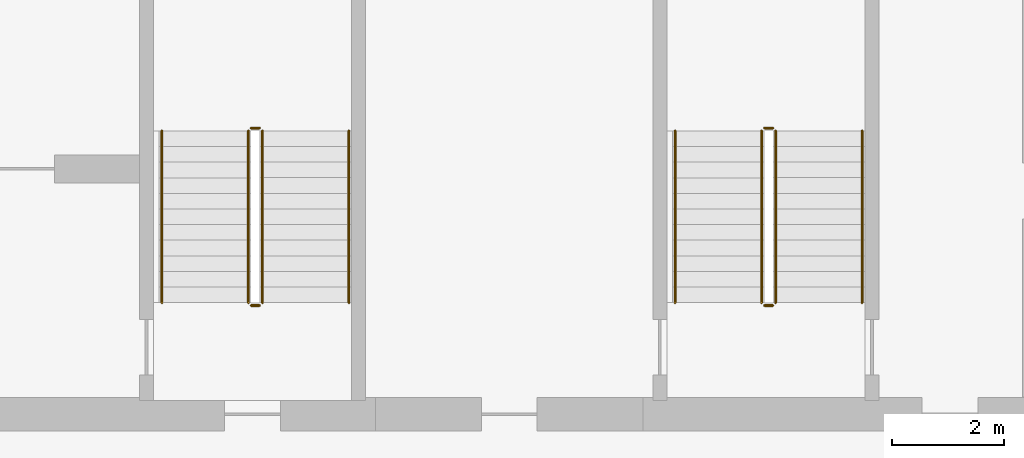
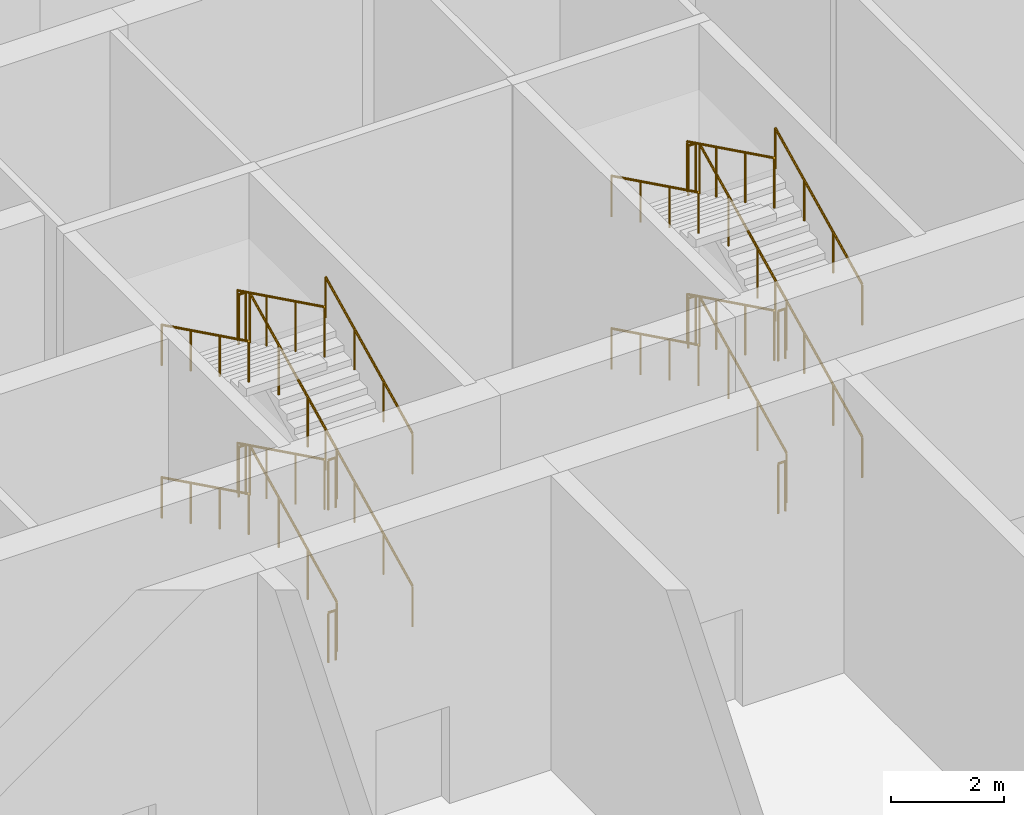
# One storey, part 15 of 16: 24 railings.
"""IFC4 building model written with IfcOpenShell, lengths in metres."""

from ifc_helpers import new_model, si_unit, direction, frame, origin, origin_2d, place, context, subcontext, project, spatial, circle, extrude, material, type_object, element, save


model = new_model("IFC4")

# Units and contexts
model_context = context("Model", 3, precision=1e-05, world=origin(), true_north=direction((0.0, 1.0)))
body_context = subcontext(model_context, "Body", "Model", "MODEL_VIEW")
ifc_project = project(units=[si_unit("LENGTHUNIT", "METRE"), si_unit("AREAUNIT", "SQUARE_METRE"), si_unit("VOLUMEUNIT", "CUBIC_METRE"), si_unit("PLANEANGLEUNIT", "RADIAN"), si_unit("MASSUNIT", "GRAM", prefix="KILO")], contexts=[model_context])

# Site, building, storey
site_placement = place(None, origin())
site = spatial("IfcSite", under=ifc_project, at=site_placement, CompositionType="ELEMENT")
building_placement = place(site_placement, origin())
building = spatial("IfcBuilding", under=site, at=building_placement, Name="Poui Terraces", CompositionType="ELEMENT")
storey_placement = place(building_placement, frame((0.0, 0.0, 115.800048828125)))
storey = spatial("IfcBuildingStorey", under=building, at=storey_placement, Name="L32", CompositionType="ELEMENT", Elevation=115.800048828125)

# Railings
ifc_material_1 = material(Name="Galvanised steel balustrade", Category="steel")
railing_type_1 = type_object("IfcRailingType", Name="STAIR GUARD 1100", PredefinedType="GUARDRAIL", material=ifc_material_1)
railing_1_placement = place(storey_placement, frame((70.27490234375, 16.60009765625, 0.137451171875)))
element("IfcRailing", 1, at=railing_1_placement, inside=storey, type_object=railing_type_1, Name="L32 ST-CE stair guard 1", PredefinedType="GUARDRAIL", context=body_context, shape_type="SweptSolid", body=[
    extrude(circle(Radius=0.02392578125, at=origin_2d()), frame((0.0, 0.0, 1.076171875), z_axis=(0.0, 0.897606190399, 0.440798283751), x_axis=(-1.0, 0.0, 0.0)), (0.0, 0.0, 1.0), 3.43115234375),
    extrude(circle(Radius=0.02099609375, at=origin_2d()), origin(), (0.0, 0.0, 1.0), 1.052001953125),
    extrude(circle(Radius=0.02099609375, at=origin_2d()), frame((0.0, 1.026611328125, 0.504150390625)), (0.0, 0.0, 1.0), 1.052001953125),
    extrude(circle(Radius=0.02099609375, at=origin_2d()), frame((0.0, 2.05322265625, 1.00830078125)), (0.0, 0.0, 1.0), 1.052001953125),
    extrude(circle(Radius=0.02099609375, at=origin_2d()), frame((0.0, 3.079833984375, 1.512451171875)), (0.0, 0.0, 1.0), 1.052001953125),
])
railing_2_placement = place(storey_placement, frame((70.22509765625, 19.72998046875, 1.64990234375)))
element("IfcRailing", 2, at=railing_2_placement, inside=storey, type_object=railing_type_1, Name="L32 ST-CE stair guard 2", PredefinedType="GUARDRAIL", context=body_context, shape_type="SweptSolid", body=[
    extrude(circle(Radius=0.02392578125, at=origin_2d()), frame((0.0, 0.0, 1.076171875), z_axis=(-1.0, 0.0, 0.0), x_axis=(0.0, -1.0, 0.0)), (0.0, 0.0, 1.0), 0.150146484375),
    extrude(circle(Radius=0.02099609375, at=origin_2d()), origin(), (0.0, 0.0, 1.0), 1.052001953125),
    extrude(circle(Radius=0.02099609375, at=origin_2d()), frame((-0.150146484375, 0.0, 0.0)), (0.0, 0.0, 1.0), 1.052001953125),
])
railing_3_placement = place(storey_placement, frame((70.02490234375, 19.679931640625, 1.787353515625)))
element("IfcRailing", 3, at=railing_3_placement, inside=storey, type_object=railing_type_1, Name="L32 ST-CE stair guard 3", PredefinedType="GUARDRAIL", context=body_context, shape_type="SweptSolid", body=[
    extrude(circle(Radius=0.02392578125, at=origin_2d()), frame((0.0, 0.0, 1.076171875), z_axis=(0.0, -0.897578036475, 0.440855609512), x_axis=(1.0, 0.0, 0.0)), (0.0, 0.0, 1.0), 3.43115234375),
    extrude(circle(Radius=0.02099609375, at=origin_2d()), origin(), (0.0, 0.0, 1.0), 1.052001953125),
    extrude(circle(Radius=0.02099609375, at=origin_2d()), frame((0.0, -1.026611328125, 0.504150390625)), (0.0, 0.0, 1.0), 1.052001953125),
    extrude(circle(Radius=0.02099609375, at=origin_2d()), frame((0.0, -2.05322265625, 1.008544921875)), (0.0, 0.0, 1.0), 1.052001953125),
    extrude(circle(Radius=0.02099609375, at=origin_2d()), frame((0.0, -3.079833984375, 1.5126953125)), (0.0, 0.0, 1.0), 1.052001953125),
])
railing_4_placement = place(storey_placement, frame((70.22509765625, 16.550048828125, 3.300048828125)))
element("IfcRailing", 4, at=railing_4_placement, inside=storey, type_object=railing_type_1, Name="L32 ST-CE stair guard 4", PredefinedType="GUARDRAIL", context=body_context, shape_type="SweptSolid", body=[
    extrude(circle(Radius=0.02392578125, at=origin_2d()), frame((0.0, 0.0, 1.076171875), z_axis=(-1.0, 0.0, 0.0), x_axis=(0.0, -1.0, 0.0)), (0.0, 0.0, 1.0), 0.150146484375),
    extrude(circle(Radius=0.02099609375, at=origin_2d()), origin(), (0.0, 0.0, 1.0), 1.052001953125),
    extrude(circle(Radius=0.02099609375, at=origin_2d()), frame((-0.150146484375, 0.0, 0.0)), (0.0, 0.0, 1.0), 1.052001953125),
])
railing_5_placement = place(storey_placement, frame((70.27490234375, 16.60009765625, 3.4375)))
element("IfcRailing", 5, at=railing_5_placement, inside=storey, type_object=railing_type_1, Name="L32 ST-CE stair guard 5", PredefinedType="GUARDRAIL", context=body_context, shape_type="SweptSolid", body=[
    extrude(circle(Radius=0.02392578125, at=origin_2d()), frame((0.0, 0.0, 1.076171875), z_axis=(0.0, 0.897606190399, 0.440798283751), x_axis=(-1.0, 0.0, 0.0)), (0.0, 0.0, 1.0), 3.43115234375),
    extrude(circle(Radius=0.02099609375, at=origin_2d()), origin(), (0.0, 0.0, 1.0), 1.052001953125),
    extrude(circle(Radius=0.02099609375, at=origin_2d()), frame((0.0, 1.026611328125, 0.504150390625)), (0.0, 0.0, 1.0), 1.052001953125),
    extrude(circle(Radius=0.02099609375, at=origin_2d()), frame((0.0, 2.05322265625, 1.00830078125)), (0.0, 0.0, 1.0), 1.052001953125),
    extrude(circle(Radius=0.02099609375, at=origin_2d()), frame((0.0, 3.079833984375, 1.512451171875)), (0.0, 0.0, 1.0), 1.052001953125),
])
railing_6_placement = place(storey_placement, frame((70.22509765625, 19.72998046875, 4.949951171875)))
element("IfcRailing", 6, at=railing_6_placement, inside=storey, type_object=railing_type_1, Name="L32 ST-CE stair guard 6", PredefinedType="GUARDRAIL", context=body_context, shape_type="SweptSolid", body=[
    extrude(circle(Radius=0.02392578125, at=origin_2d()), frame((0.0, 0.0, 1.076171875), z_axis=(-1.0, 0.0, 0.0), x_axis=(0.0, -1.0, 0.0)), (0.0, 0.0, 1.0), 0.150146484375),
    extrude(circle(Radius=0.02099609375, at=origin_2d()), origin(), (0.0, 0.0, 1.0), 1.052001953125),
    extrude(circle(Radius=0.02099609375, at=origin_2d()), frame((-0.150146484375, 0.0, 0.0)), (0.0, 0.0, 1.0), 1.052001953125),
])
railing_7_placement = place(storey_placement, frame((70.02490234375, 19.679931640625, 5.08740234375)))
element("IfcRailing", 7, at=railing_7_placement, inside=storey, type_object=railing_type_1, Name="L32 ST-CE stair guard 7", PredefinedType="GUARDRAIL", context=body_context, shape_type="SweptSolid", body=[
    extrude(circle(Radius=0.02392578125, at=origin_2d()), frame((0.0, 0.0, 1.076171875), z_axis=(0.0, -0.897606190399, 0.440798283751), x_axis=(1.0, 0.0, 0.0)), (0.0, 0.0, 1.0), 3.43115234375),
    extrude(circle(Radius=0.02099609375, at=origin_2d()), origin(), (0.0, 0.0, 1.0), 1.052001953125),
    extrude(circle(Radius=0.02099609375, at=origin_2d()), frame((0.0, -1.026611328125, 0.504150390625)), (0.0, 0.0, 1.0), 1.052001953125),
    extrude(circle(Radius=0.02099609375, at=origin_2d()), frame((0.0, -2.05322265625, 1.00830078125)), (0.0, 0.0, 1.0), 1.052001953125),
    extrude(circle(Radius=0.02099609375, at=origin_2d()), frame((0.0, -3.079833984375, 1.512451171875)), (0.0, 0.0, 1.0), 1.052001953125),
])
railing_8_placement = place(storey_placement, frame((70.22509765625, 16.550048828125, 0.0)))
element("IfcRailing", 8, at=railing_8_placement, inside=storey, type_object=railing_type_1, Name="L32 ST-CE stair guard 8", PredefinedType="GUARDRAIL", context=body_context, shape_type="SweptSolid", body=[
    extrude(circle(Radius=0.02392578125, at=origin_2d()), frame((0.0, 0.0, 1.076171875), z_axis=(-1.0, 0.0, 0.0), x_axis=(0.0, -1.0, 0.0)), (0.0, 0.0, 1.0), 0.150146484375),
    extrude(circle(Radius=0.02099609375, at=origin_2d()), origin(), (0.0, 0.0, 1.0), 1.052001953125),
    extrude(circle(Radius=0.02099609375, at=origin_2d()), frame((-0.150146484375, 0.0, 0.0)), (0.0, 0.0, 1.0), 1.052001953125),
])
railing_9_placement = place(storey_placement, frame((79.47509765625, 16.60009765625, 0.137451171875)))
element("IfcRailing", 9, at=railing_9_placement, inside=storey, type_object=railing_type_1, Name="L32 ST-E stair guard 1", PredefinedType="GUARDRAIL", context=body_context, shape_type="SweptSolid", body=[
    extrude(circle(Radius=0.02392578125, at=origin_2d()), frame((0.0, 0.0, 1.076171875), z_axis=(0.0, 0.897606190399, 0.440798283751), x_axis=(-1.0, 0.0, 0.0)), (0.0, 0.0, 1.0), 3.43115234375),
    extrude(circle(Radius=0.02099609375, at=origin_2d()), origin(), (0.0, 0.0, 1.0), 1.052001953125),
    extrude(circle(Radius=0.02099609375, at=origin_2d()), frame((0.0, 1.026611328125, 0.504150390625)), (0.0, 0.0, 1.0), 1.052001953125),
    extrude(circle(Radius=0.02099609375, at=origin_2d()), frame((0.0, 2.05322265625, 1.00830078125)), (0.0, 0.0, 1.0), 1.052001953125),
    extrude(circle(Radius=0.02099609375, at=origin_2d()), frame((0.0, 3.079833984375, 1.512451171875)), (0.0, 0.0, 1.0), 1.052001953125),
])
railing_10_placement = place(storey_placement, frame((79.425048828125, 19.72998046875, 1.64990234375)))
element("IfcRailing", 10, at=railing_10_placement, inside=storey, type_object=railing_type_1, Name="L32 ST-E stair guard 2", PredefinedType="GUARDRAIL", context=body_context, shape_type="SweptSolid", body=[
    extrude(circle(Radius=0.02392578125, at=origin_2d()), frame((0.0, 0.0, 1.076171875), z_axis=(-1.0, 0.0, 0.0), x_axis=(0.0, -1.0, 0.0)), (0.0, 0.0, 1.0), 0.150146484375),
    extrude(circle(Radius=0.02099609375, at=origin_2d()), origin(), (0.0, 0.0, 1.0), 1.052001953125),
    extrude(circle(Radius=0.02099609375, at=origin_2d()), frame((-0.150146484375, 0.0, 0.0)), (0.0, 0.0, 1.0), 1.052001953125),
])
railing_11_placement = place(storey_placement, frame((79.22509765625, 19.679931640625, 1.787353515625)))
element("IfcRailing", 11, at=railing_11_placement, inside=storey, type_object=railing_type_1, Name="L32 ST-E stair guard 3", PredefinedType="GUARDRAIL", context=body_context, shape_type="SweptSolid", body=[
    extrude(circle(Radius=0.02392578125, at=origin_2d()), frame((0.0, 0.0, 1.076171875), z_axis=(0.0, -0.897578036475, 0.440855609512), x_axis=(1.0, 0.0, 0.0)), (0.0, 0.0, 1.0), 3.43115234375),
    extrude(circle(Radius=0.02099609375, at=origin_2d()), origin(), (0.0, 0.0, 1.0), 1.052001953125),
    extrude(circle(Radius=0.02099609375, at=origin_2d()), frame((0.0, -1.026611328125, 0.504150390625)), (0.0, 0.0, 1.0), 1.052001953125),
    extrude(circle(Radius=0.02099609375, at=origin_2d()), frame((0.0, -2.05322265625, 1.008544921875)), (0.0, 0.0, 1.0), 1.052001953125),
    extrude(circle(Radius=0.02099609375, at=origin_2d()), frame((0.0, -3.079833984375, 1.5126953125)), (0.0, 0.0, 1.0), 1.052001953125),
])
railing_12_placement = place(storey_placement, frame((79.425048828125, 16.550048828125, 3.300048828125)))
element("IfcRailing", 12, at=railing_12_placement, inside=storey, type_object=railing_type_1, Name="L32 ST-E stair guard 4", PredefinedType="GUARDRAIL", context=body_context, shape_type="SweptSolid", body=[
    extrude(circle(Radius=0.02392578125, at=origin_2d()), frame((0.0, 0.0, 1.076171875), z_axis=(-1.0, 0.0, 0.0), x_axis=(0.0, -1.0, 0.0)), (0.0, 0.0, 1.0), 0.150146484375),
    extrude(circle(Radius=0.02099609375, at=origin_2d()), origin(), (0.0, 0.0, 1.0), 1.052001953125),
    extrude(circle(Radius=0.02099609375, at=origin_2d()), frame((-0.150146484375, 0.0, 0.0)), (0.0, 0.0, 1.0), 1.052001953125),
])
railing_13_placement = place(storey_placement, frame((79.47509765625, 16.60009765625, 3.4375)))
element("IfcRailing", 13, at=railing_13_placement, inside=storey, type_object=railing_type_1, Name="L32 ST-E stair guard 5", PredefinedType="GUARDRAIL", context=body_context, shape_type="SweptSolid", body=[
    extrude(circle(Radius=0.02392578125, at=origin_2d()), frame((0.0, 0.0, 1.076171875), z_axis=(0.0, 0.897606190399, 0.440798283751), x_axis=(-1.0, 0.0, 0.0)), (0.0, 0.0, 1.0), 3.43115234375),
    extrude(circle(Radius=0.02099609375, at=origin_2d()), origin(), (0.0, 0.0, 1.0), 1.052001953125),
    extrude(circle(Radius=0.02099609375, at=origin_2d()), frame((0.0, 1.026611328125, 0.504150390625)), (0.0, 0.0, 1.0), 1.052001953125),
    extrude(circle(Radius=0.02099609375, at=origin_2d()), frame((0.0, 2.05322265625, 1.00830078125)), (0.0, 0.0, 1.0), 1.052001953125),
    extrude(circle(Radius=0.02099609375, at=origin_2d()), frame((0.0, 3.079833984375, 1.512451171875)), (0.0, 0.0, 1.0), 1.052001953125),
])
railing_14_placement = place(storey_placement, frame((79.425048828125, 19.72998046875, 4.949951171875)))
element("IfcRailing", 14, at=railing_14_placement, inside=storey, type_object=railing_type_1, Name="L32 ST-E stair guard 6", PredefinedType="GUARDRAIL", context=body_context, shape_type="SweptSolid", body=[
    extrude(circle(Radius=0.02392578125, at=origin_2d()), frame((0.0, 0.0, 1.076171875), z_axis=(-1.0, 0.0, 0.0), x_axis=(0.0, -1.0, 0.0)), (0.0, 0.0, 1.0), 0.150146484375),
    extrude(circle(Radius=0.02099609375, at=origin_2d()), origin(), (0.0, 0.0, 1.0), 1.052001953125),
    extrude(circle(Radius=0.02099609375, at=origin_2d()), frame((-0.150146484375, 0.0, 0.0)), (0.0, 0.0, 1.0), 1.052001953125),
])
railing_15_placement = place(storey_placement, frame((79.22509765625, 19.679931640625, 5.08740234375)))
element("IfcRailing", 15, at=railing_15_placement, inside=storey, type_object=railing_type_1, Name="L32 ST-E stair guard 7", PredefinedType="GUARDRAIL", context=body_context, shape_type="SweptSolid", body=[
    extrude(circle(Radius=0.02392578125, at=origin_2d()), frame((0.0, 0.0, 1.076171875), z_axis=(0.0, -0.897606190399, 0.440798283751), x_axis=(1.0, 0.0, 0.0)), (0.0, 0.0, 1.0), 3.43115234375),
    extrude(circle(Radius=0.02099609375, at=origin_2d()), origin(), (0.0, 0.0, 1.0), 1.052001953125),
    extrude(circle(Radius=0.02099609375, at=origin_2d()), frame((0.0, -1.026611328125, 0.504150390625)), (0.0, 0.0, 1.0), 1.052001953125),
    extrude(circle(Radius=0.02099609375, at=origin_2d()), frame((0.0, -2.05322265625, 1.00830078125)), (0.0, 0.0, 1.0), 1.052001953125),
    extrude(circle(Radius=0.02099609375, at=origin_2d()), frame((0.0, -3.079833984375, 1.512451171875)), (0.0, 0.0, 1.0), 1.052001953125),
])
railing_16_placement = place(storey_placement, frame((79.425048828125, 16.550048828125, 0.0)))
element("IfcRailing", 16, at=railing_16_placement, inside=storey, type_object=railing_type_1, Name="L32 ST-E stair guard 8", PredefinedType="GUARDRAIL", context=body_context, shape_type="SweptSolid", body=[
    extrude(circle(Radius=0.02392578125, at=origin_2d()), frame((0.0, 0.0, 1.076171875), z_axis=(-1.0, 0.0, 0.0), x_axis=(0.0, -1.0, 0.0)), (0.0, 0.0, 1.0), 0.150146484375),
    extrude(circle(Radius=0.02099609375, at=origin_2d()), origin(), (0.0, 0.0, 1.0), 1.052001953125),
    extrude(circle(Radius=0.02099609375, at=origin_2d()), frame((-0.150146484375, 0.0, 0.0)), (0.0, 0.0, 1.0), 1.052001953125),
])
ifc_material_2 = material(Name="Stainless steel handrail", Category="steel")
railing_type_2 = type_object("IfcRailingType", Name="STAIR HANDRAIL 900", PredefinedType="HANDRAIL", material=ifc_material_2)
railing_17_placement = place(storey_placement, frame((71.824951171875, 16.60009765625, 0.137451171875)))
element("IfcRailing", 17, at=railing_17_placement, inside=storey, type_object=railing_type_2, Name="L32 ST-CE stair handrail 1", PredefinedType="HANDRAIL", context=body_context, shape_type="SweptSolid", body=[
    extrude(circle(Radius=0.02392578125, at=origin_2d()), frame((0.0, 0.0, 0.8759765625), z_axis=(0.0, 0.897606190399, 0.440798283751), x_axis=(-1.0, 0.0, 0.0)), (0.0, 0.0, 1.0), 3.43115234375),
    extrude(circle(Radius=0.02099609375, at=origin_2d()), origin(), (0.0, 0.0, 1.0), 0.851806640625),
    extrude(circle(Radius=0.02099609375, at=origin_2d()), frame((0.0, 1.026611328125, 0.504150390625)), (0.0, 0.0, 1.0), 0.851806640625),
    extrude(circle(Radius=0.02099609375, at=origin_2d()), frame((0.0, 2.05322265625, 1.00830078125)), (0.0, 0.0, 1.0), 0.851806640625),
    extrude(circle(Radius=0.02099609375, at=origin_2d()), frame((0.0, 3.079833984375, 1.512451171875)), (0.0, 0.0, 1.0), 0.851806640625),
])
railing_18_placement = place(storey_placement, frame((68.47509765625, 19.679931640625, 1.787353515625)))
element("IfcRailing", 18, at=railing_18_placement, inside=storey, type_object=railing_type_2, Name="L32 ST-CE stair handrail 2", PredefinedType="HANDRAIL", context=body_context, shape_type="SweptSolid", body=[
    extrude(circle(Radius=0.02392578125, at=origin_2d()), frame((0.0, 0.0, 0.8759765625), z_axis=(0.0, -0.897578036475, 0.440855609512), x_axis=(1.0, 0.0, 0.0)), (0.0, 0.0, 1.0), 3.43115234375),
    extrude(circle(Radius=0.02099609375, at=origin_2d()), origin(), (0.0, 0.0, 1.0), 0.851806640625),
    extrude(circle(Radius=0.02099609375, at=origin_2d()), frame((0.0, -1.026611328125, 0.504150390625)), (0.0, 0.0, 1.0), 0.851806640625),
    extrude(circle(Radius=0.02099609375, at=origin_2d()), frame((0.0, -2.05322265625, 1.008544921875)), (0.0, 0.0, 1.0), 0.851806640625),
    extrude(circle(Radius=0.02099609375, at=origin_2d()), frame((0.0, -3.079833984375, 1.5126953125)), (0.0, 0.0, 1.0), 0.851806640625),
])
railing_19_placement = place(storey_placement, frame((71.824951171875, 16.60009765625, 3.4375)))
element("IfcRailing", 19, at=railing_19_placement, inside=storey, type_object=railing_type_2, Name="L32 ST-CE stair handrail 3", PredefinedType="HANDRAIL", context=body_context, shape_type="SweptSolid", body=[
    extrude(circle(Radius=0.02392578125, at=origin_2d()), frame((0.0, 0.0, 0.8759765625), z_axis=(0.0, 0.897606190399, 0.440798283751), x_axis=(-1.0, 0.0, 0.0)), (0.0, 0.0, 1.0), 3.43115234375),
    extrude(circle(Radius=0.02099609375, at=origin_2d()), origin(), (0.0, 0.0, 1.0), 0.851806640625),
    extrude(circle(Radius=0.02099609375, at=origin_2d()), frame((0.0, 1.026611328125, 0.504150390625)), (0.0, 0.0, 1.0), 0.851806640625),
    extrude(circle(Radius=0.02099609375, at=origin_2d()), frame((0.0, 2.05322265625, 1.00830078125)), (0.0, 0.0, 1.0), 0.851806640625),
    extrude(circle(Radius=0.02099609375, at=origin_2d()), frame((0.0, 3.079833984375, 1.512451171875)), (0.0, 0.0, 1.0), 0.851806640625),
])
railing_20_placement = place(storey_placement, frame((68.47509765625, 19.679931640625, 5.08740234375)))
element("IfcRailing", 20, at=railing_20_placement, inside=storey, type_object=railing_type_2, Name="L32 ST-CE stair handrail 4", PredefinedType="HANDRAIL", context=body_context, shape_type="SweptSolid", body=[
    extrude(circle(Radius=0.02392578125, at=origin_2d()), frame((0.0, 0.0, 0.8759765625), z_axis=(0.0, -0.897606190399, 0.440798283751), x_axis=(1.0, 0.0, 0.0)), (0.0, 0.0, 1.0), 3.43115234375),
    extrude(circle(Radius=0.02099609375, at=origin_2d()), origin(), (0.0, 0.0, 1.0), 0.851806640625),
    extrude(circle(Radius=0.02099609375, at=origin_2d()), frame((0.0, -1.026611328125, 0.504150390625)), (0.0, 0.0, 1.0), 0.851806640625),
    extrude(circle(Radius=0.02099609375, at=origin_2d()), frame((0.0, -2.05322265625, 1.00830078125)), (0.0, 0.0, 1.0), 0.851806640625),
    extrude(circle(Radius=0.02099609375, at=origin_2d()), frame((0.0, -3.079833984375, 1.512451171875)), (0.0, 0.0, 1.0), 0.851806640625),
])
railing_21_placement = place(storey_placement, frame((81.02490234375, 16.60009765625, 0.137451171875)))
element("IfcRailing", 21, at=railing_21_placement, inside=storey, type_object=railing_type_2, Name="L32 ST-E stair handrail 1", PredefinedType="HANDRAIL", context=body_context, shape_type="SweptSolid", body=[
    extrude(circle(Radius=0.02392578125, at=origin_2d()), frame((0.0, 0.0, 0.8759765625), z_axis=(0.0, 0.897606190399, 0.440798283751), x_axis=(-1.0, 0.0, 0.0)), (0.0, 0.0, 1.0), 3.43115234375),
    extrude(circle(Radius=0.02099609375, at=origin_2d()), origin(), (0.0, 0.0, 1.0), 0.851806640625),
    extrude(circle(Radius=0.02099609375, at=origin_2d()), frame((0.0, 1.026611328125, 0.504150390625)), (0.0, 0.0, 1.0), 0.851806640625),
    extrude(circle(Radius=0.02099609375, at=origin_2d()), frame((0.0, 2.05322265625, 1.00830078125)), (0.0, 0.0, 1.0), 0.851806640625),
    extrude(circle(Radius=0.02099609375, at=origin_2d()), frame((0.0, 3.079833984375, 1.512451171875)), (0.0, 0.0, 1.0), 0.851806640625),
])
railing_22_placement = place(storey_placement, frame((77.675048828125, 19.679931640625, 1.787353515625)))
element("IfcRailing", 22, at=railing_22_placement, inside=storey, type_object=railing_type_2, Name="L32 ST-E stair handrail 2", PredefinedType="HANDRAIL", context=body_context, shape_type="SweptSolid", body=[
    extrude(circle(Radius=0.02392578125, at=origin_2d()), frame((0.0, 0.0, 0.8759765625), z_axis=(0.0, -0.897578036475, 0.440855609512), x_axis=(1.0, 0.0, 0.0)), (0.0, 0.0, 1.0), 3.43115234375),
    extrude(circle(Radius=0.02099609375, at=origin_2d()), origin(), (0.0, 0.0, 1.0), 0.851806640625),
    extrude(circle(Radius=0.02099609375, at=origin_2d()), frame((0.0, -1.026611328125, 0.504150390625)), (0.0, 0.0, 1.0), 0.851806640625),
    extrude(circle(Radius=0.02099609375, at=origin_2d()), frame((0.0, -2.05322265625, 1.008544921875)), (0.0, 0.0, 1.0), 0.851806640625),
    extrude(circle(Radius=0.02099609375, at=origin_2d()), frame((0.0, -3.079833984375, 1.5126953125)), (0.0, 0.0, 1.0), 0.851806640625),
])
railing_23_placement = place(storey_placement, frame((81.02490234375, 16.60009765625, 3.4375)))
element("IfcRailing", 23, at=railing_23_placement, inside=storey, type_object=railing_type_2, Name="L32 ST-E stair handrail 3", PredefinedType="HANDRAIL", context=body_context, shape_type="SweptSolid", body=[
    extrude(circle(Radius=0.02392578125, at=origin_2d()), frame((0.0, 0.0, 0.8759765625), z_axis=(0.0, 0.897606190399, 0.440798283751), x_axis=(-1.0, 0.0, 0.0)), (0.0, 0.0, 1.0), 3.43115234375),
    extrude(circle(Radius=0.02099609375, at=origin_2d()), origin(), (0.0, 0.0, 1.0), 0.851806640625),
    extrude(circle(Radius=0.02099609375, at=origin_2d()), frame((0.0, 1.026611328125, 0.504150390625)), (0.0, 0.0, 1.0), 0.851806640625),
    extrude(circle(Radius=0.02099609375, at=origin_2d()), frame((0.0, 2.05322265625, 1.00830078125)), (0.0, 0.0, 1.0), 0.851806640625),
    extrude(circle(Radius=0.02099609375, at=origin_2d()), frame((0.0, 3.079833984375, 1.512451171875)), (0.0, 0.0, 1.0), 0.851806640625),
])
railing_24_placement = place(storey_placement, frame((77.675048828125, 19.679931640625, 5.08740234375)))
element("IfcRailing", 24, at=railing_24_placement, inside=storey, type_object=railing_type_2, Name="L32 ST-E stair handrail 4", PredefinedType="HANDRAIL", context=body_context, shape_type="SweptSolid", body=[
    extrude(circle(Radius=0.02392578125, at=origin_2d()), frame((0.0, 0.0, 0.8759765625), z_axis=(0.0, -0.897606190399, 0.440798283751), x_axis=(1.0, 0.0, 0.0)), (0.0, 0.0, 1.0), 3.43115234375),
    extrude(circle(Radius=0.02099609375, at=origin_2d()), origin(), (0.0, 0.0, 1.0), 0.851806640625),
    extrude(circle(Radius=0.02099609375, at=origin_2d()), frame((0.0, -1.026611328125, 0.504150390625)), (0.0, 0.0, 1.0), 0.851806640625),
    extrude(circle(Radius=0.02099609375, at=origin_2d()), frame((0.0, -2.05322265625, 1.00830078125)), (0.0, 0.0, 1.0), 0.851806640625),
    extrude(circle(Radius=0.02099609375, at=origin_2d()), frame((0.0, -3.079833984375, 1.512451171875)), (0.0, 0.0, 1.0), 0.851806640625),
])

save(model, "model.ifc")
